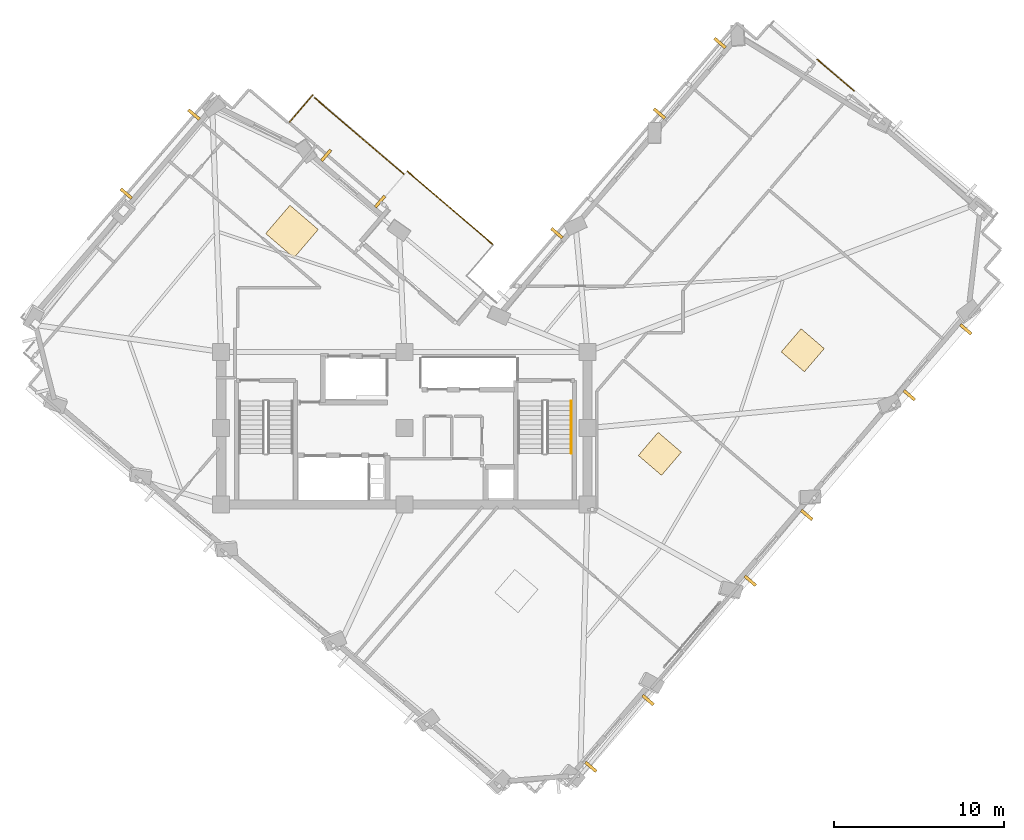
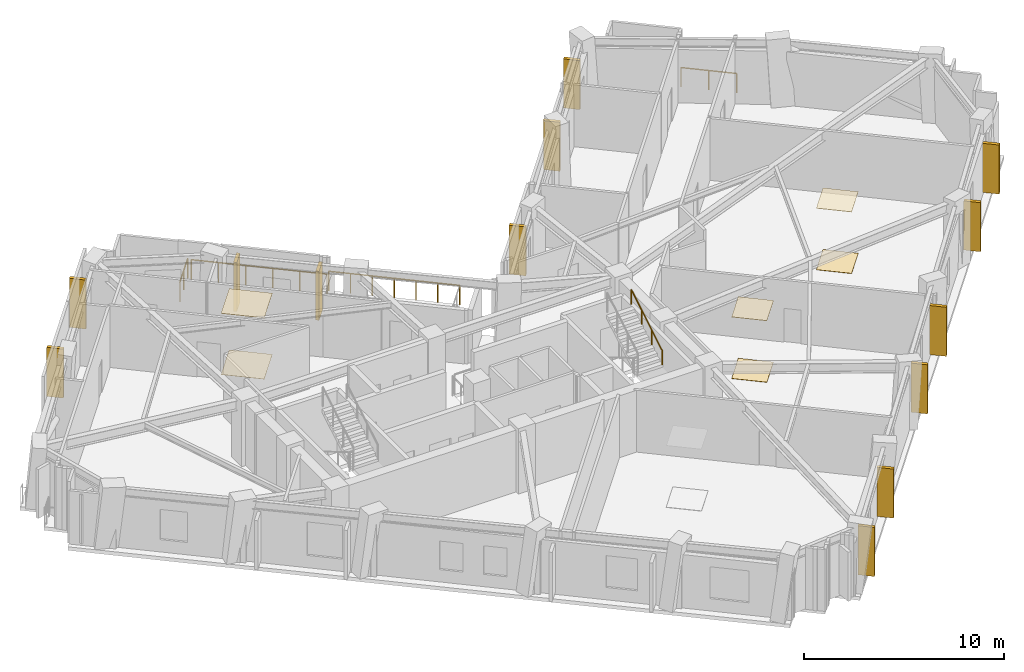
# One storey, part 11 of 12: 13 shading devices, 6 coverings, 5 railings.
"""IFC4 building model written with IfcOpenShell, lengths in metres."""

from ifc_helpers import new_model, si_unit, direction, frame, origin, origin_2d, place, context, subcontext, project, spatial, rectangle, circle, extrude, material, layer, layer_set, type_object, element, save


model = new_model("IFC4")

# Units and contexts
model_context = context("Model", 3, precision=1e-05, world=origin(), true_north=direction((0.0, 1.0)))
body_context = subcontext(model_context, "Body", "Model", "MODEL_VIEW")
ifc_project = project(units=[si_unit("LENGTHUNIT", "METRE"), si_unit("AREAUNIT", "SQUARE_METRE"), si_unit("VOLUMEUNIT", "CUBIC_METRE"), si_unit("PLANEANGLEUNIT", "RADIAN"), si_unit("MASSUNIT", "GRAM", prefix="KILO")], contexts=[model_context])

# Site, building, storey
site_placement = place(None, origin())
site = spatial("IfcSite", under=ifc_project, at=site_placement, CompositionType="ELEMENT")
building_placement = place(site_placement, origin())
building = spatial("IfcBuilding", under=site, at=building_placement, Name="Gaonmaruhae Medical Tower", CompositionType="ELEMENT")
storey_placement = place(building_placement, frame((0.0, 0.0, 235.199951171875)))
storey = spatial("IfcBuildingStorey", under=building, at=storey_placement, Name="L56", CompositionType="ELEMENT", Elevation=235.199951171875)

# Coverings
ifc_material_1 = material(Name="Acoustic mineral ceiling tile", Category="finish")
ifc_layer_1 = layer(ifc_material_1, 0.02490234375)
ifc_layer_set_1 = layer_set([ifc_layer_1], Name="Acoustic mineral ceiling tile")
covering_type_1 = type_object("IfcCoveringType", Name="CLG-01 Antimicrobial Acoustic Mineral Ceiling", PredefinedType="CEILING", material=ifc_layer_set_1)
covering_1_placement = place(storey_placement, frame((18.17724609375, 23.8935546875, 3.735107421875), z_axis=(0.0, 0.0, 1.0), x_axis=(0.650774217266, 0.759271307335, 0.0)))
element("IfcCovering", 1, at=covering_1_placement, inside=storey, type_object=covering_type_1, Name="L56 Clinical Corridor Acoustic Ceiling", PredefinedType="CEILING", context=body_context, shape_type="SweptSolid", body=[
    extrude(rectangle(XDim=2.199951171875, YDim=2.199951171875, at=origin_2d()), origin(), (0.0, 0.0, 1.0), 0.02490234375),
])
for number, where, z_axis, x_axis, name in (
    (2, (39.864990234375, 10.7880859375, 3.755126953125), (0.0, 0.0, 1.0), (0.650774217266, 0.759271307335, 0.0), "L56 Clinical Room Acoustic Ceiling 3"),
    (3, (48.288818359375, 16.89404296875, 3.755126953125), (0.0, 0.0, 1.0), (0.650774217266, 0.759271307335, 0.0), "L56 Clinical Room Acoustic Ceiling 4"),
):
    element("IfcCovering", number, at=place(storey_placement, frame(where, z_axis=z_axis, x_axis=x_axis)), inside=storey, type_object=covering_type_1, Name=name, PredefinedType="CEILING", context=body_context, shape_type="SweptSolid", body=[
        extrude(rectangle(XDim=1.800048828125, YDim=1.800048828125, at=origin_2d()), origin(), (0.0, 0.0, 1.0), 0.02490234375),
    ])
ifc_material_2 = material(Name="Seamless clinical vinyl flooring", Category="finish")
ifc_layer_2 = layer(ifc_material_2, 0.014892578125)
ifc_layer_set_2 = layer_set([ifc_layer_2], Name="Seamless clinical vinyl flooring")
covering_type_2 = type_object("IfcCoveringType", Name="FLR-01 Seamless Clinical Antistatic Vinyl Flooring", PredefinedType="FLOORING", material=ifc_layer_set_2)
covering_2_placement = place(storey_placement, frame((18.17724609375, 23.8935546875, 0.00048828125), z_axis=(0.0, 0.0, 1.0), x_axis=(0.650774217266, 0.759271307335, 0.0)))
element("IfcCovering", 4, at=covering_2_placement, inside=storey, type_object=covering_type_2, Name="L56 Clinical Corridor Vinyl Flooring", PredefinedType="FLOORING", context=body_context, shape_type="SweptSolid", body=[
    extrude(rectangle(XDim=2.199951171875, YDim=2.199951171875, at=origin_2d()), origin(), (0.0, 0.0, 1.0), 0.014892578125),
])
for number, where, z_axis, x_axis, name in (
    (5, (39.864990234375, 10.7880859375, 0.0), (0.0, 0.0, 1.0), (0.650774217266, 0.759271307335, 0.0), "L56 Clinical Room Vinyl Flooring 3"),
    (6, (48.288818359375, 16.89404296875, 0.0), (0.0, 0.0, 1.0), (0.650774217266, 0.759271307335, 0.0), "L56 Clinical Room Vinyl Flooring 4"),
):
    element("IfcCovering", number, at=place(storey_placement, frame(where, z_axis=z_axis, x_axis=x_axis)), inside=storey, type_object=covering_type_2, Name=name, PredefinedType="FLOORING", context=body_context, shape_type="SweptSolid", body=[
        extrude(rectangle(XDim=1.800048828125, YDim=1.800048828125, at=origin_2d()), origin(), (0.0, 0.0, 1.0), 0.014892578125),
    ])

# Railings
ifc_material_3 = material(Name="Stainless steel 316L and laminated safety glass", Category="steel")
ifc_layer_3 = layer(ifc_material_3, 0.080078125)
ifc_layer_set_3 = layer_set([ifc_layer_3], Name="Stainless steel 316L and laminated safety glass")
railing_type_1 = type_object("IfcRailingType", Name="GD-120 Outdoor Terrace Safety Glass & Steel Balustrade", PredefinedType="BALUSTRADE", material=ifc_layer_set_3)
railing_1_placement = place(storey_placement, frame((30.04248046875, 23.10791015625, 0.0)))
element("IfcRailing", 7, at=railing_1_placement, inside=storey, type_object=railing_type_1, Name="L56 Terrace Safety Guard RL-SLB-L56-TER-03", PredefinedType="BALUSTRADE", context=body_context, shape_type="SweptSolid", body=[
    extrude(circle(Radius=0.02392578125, at=origin_2d()), frame((0.0, 0.0, 1.17578125), z_axis=(-0.759272095215, 0.650773298029, 0.0), x_axis=(-0.650773298029, -0.759272095215, 0.0)), (0.0, 0.0, 1.0), 6.674072265625),
    extrude(circle(Radius=0.02099609375, at=origin_2d()), origin(), (0.0, 0.0, 1.0), 1.15185546875),
    extrude(circle(Radius=0.02099609375, at=origin_2d()), frame((-0.844482421875, 0.723876953125, 0.0)), (0.0, 0.0, 1.0), 1.15185546875),
    extrude(circle(Radius=0.02099609375, at=origin_2d()), frame((-1.689208984375, 1.44775390625, 0.0)), (0.0, 0.0, 1.0), 1.15185546875),
    extrude(circle(Radius=0.02099609375, at=origin_2d()), frame((-2.53369140625, 2.171630859375, 0.0)), (0.0, 0.0, 1.0), 1.15185546875),
    extrude(circle(Radius=0.02099609375, at=origin_2d()), frame((-3.378173828125, 2.8955078125, 0.0)), (0.0, 0.0, 1.0), 1.15185546875),
    extrude(circle(Radius=0.02099609375, at=origin_2d()), frame((-4.222900390625, 3.619384765625, 0.0)), (0.0, 0.0, 1.0), 1.15185546875),
    extrude(circle(Radius=0.02099609375, at=origin_2d()), frame((-5.0673828125, 4.34326171875, 0.0)), (0.0, 0.0, 1.0), 1.15185546875),
])
railing_2_placement = place(storey_placement, frame((49.14501953125, 34.037353515625, 0.0)))
element("IfcRailing", 8, at=railing_2_placement, inside=storey, type_object=railing_type_1, Name="L56 Perimeter Slab Edge Safety Balustrade 02", PredefinedType="BALUSTRADE", context=body_context, shape_type="SweptSolid", body=[
    extrude(circle(Radius=0.02392578125, at=origin_2d()), frame((0.0, 0.0, 1.17578125), z_axis=(0.759293028785, -0.65074887356, 0.0), x_axis=(0.65074887356, 0.759293028785, 0.0)), (0.0, 0.0, 1.0), 2.838623046875),
    extrude(circle(Radius=0.02099609375, at=origin_2d()), origin(), (0.0, 0.0, 1.0), 1.15185546875),
    extrude(circle(Radius=0.02099609375, at=origin_2d()), frame((1.07763671875, -0.923583984375, 0.0)), (0.0, 0.0, 1.0), 1.15185546875),
    extrude(circle(Radius=0.02099609375, at=origin_2d()), frame((2.1552734375, -1.84716796875, 0.0)), (0.0, 0.0, 1.0), 1.15185546875),
])
railing_3_placement = place(storey_placement, frame((18.04248046875, 30.349609375, 0.0)))
element("IfcRailing", 9, at=railing_3_placement, inside=storey, type_object=railing_type_1, Name="L56 Perimeter Slab Edge Safety Balustrade 08", PredefinedType="BALUSTRADE", context=body_context, shape_type="SweptSolid", body=[
    extrude(circle(Radius=0.02392578125, at=origin_2d()), frame((0.0, 0.0, 1.17578125), z_axis=(0.650724060064, 0.759314294383, 0.0), x_axis=(-0.759314294383, 0.650724060064, 0.0)), (0.0, 0.0, 1.0), 2.0908203125),
    extrude(circle(Radius=0.02099609375, at=origin_2d()), origin(), (0.0, 0.0, 1.0), 1.15185546875),
    extrude(circle(Radius=0.02099609375, at=origin_2d()), frame((0.68017578125, 0.7939453125, 0.0)), (0.0, 0.0, 1.0), 1.15185546875),
    extrude(circle(Radius=0.02099609375, at=origin_2d()), frame((1.360595703125, 1.587646484375, 0.0)), (0.0, 0.0, 1.0), 1.15185546875),
])
railing_4_placement = place(storey_placement, frame((19.523193359375, 31.768310546875, 0.0)))
element("IfcRailing", 10, at=railing_4_placement, inside=storey, type_object=railing_type_1, Name="L56 Perimeter Slab Edge Safety Balustrade 09", PredefinedType="BALUSTRADE", context=body_context, shape_type="SweptSolid", body=[
    extrude(circle(Radius=0.02392578125, at=origin_2d()), frame((0.0, 0.0, 1.17578125), z_axis=(0.759281545422, -0.650762272094, 0.0), x_axis=(0.650762272094, 0.759281545422, 0.0)), (0.0, 0.0, 1.0), 6.908935546875),
    extrude(circle(Radius=0.02099609375, at=origin_2d()), origin(), (0.0, 0.0, 1.0), 1.15185546875),
    extrude(circle(Radius=0.02099609375, at=origin_2d()), frame((1.049072265625, -0.899169921875, 0.0)), (0.0, 0.0, 1.0), 1.15185546875),
    extrude(circle(Radius=0.02099609375, at=origin_2d()), frame((2.098388671875, -1.79833984375, 0.0)), (0.0, 0.0, 1.0), 1.15185546875),
    extrude(circle(Radius=0.02099609375, at=origin_2d()), frame((3.1474609375, -2.69775390625, 0.0)), (0.0, 0.0, 1.0), 1.15185546875),
    extrude(circle(Radius=0.02099609375, at=origin_2d()), frame((4.19677734375, -3.596923828125, 0.0)), (0.0, 0.0, 1.0), 1.15185546875),
    extrude(circle(Radius=0.02099609375, at=origin_2d()), frame((5.245849609375, -4.49609375, 0.0)), (0.0, 0.0, 1.0), 1.15185546875),
])
ifc_material_4 = material(Name="Stainless steel 304 handrail", Category="steel")
railing_type_2 = type_object("IfcRailingType", Name="HR-092 Continuous Stainless Steel Stair Handrail", PredefinedType="HANDRAIL", material=ifc_material_4)
railing_5_placement = place(storey_placement, frame((34.64990234375, 10.820068359375, 2.166748046875)))
element("IfcRailing", 11, at=railing_5_placement, inside=storey, type_object=railing_type_2, Name="L56 ST-02 stair handrail 2", PredefinedType="HANDRAIL", context=body_context, shape_type="SweptSolid", body=[
    extrude(circle(Radius=0.02392578125, at=origin_2d()), frame((0.0, 0.0, 0.8759765625), z_axis=(0.0, 0.859290745958, 0.51148745235), x_axis=(-1.0, 0.0, 0.0)), (0.0, 0.0, 1.0), 3.584228515625),
    extrude(circle(Radius=0.02099609375, at=origin_2d()), origin(), (0.0, 0.0, 1.0), 0.851806640625),
    extrude(circle(Radius=0.02099609375, at=origin_2d()), frame((0.0, 1.026611328125, 0.611083984375)), (0.0, 0.0, 1.0), 0.851806640625),
    extrude(circle(Radius=0.02099609375, at=origin_2d()), frame((0.0, 2.05322265625, 1.22216796875)), (0.0, 0.0, 1.0), 0.851806640625),
    extrude(circle(Radius=0.02099609375, at=origin_2d()), frame((0.0, 3.079833984375, 1.833251953125)), (0.0, 0.0, 1.0), 0.851806640625),
])

# Shading devices
ifc_material_5 = material(Name="Pigmented coral precast concrete C45/55", Category="concrete")
shading_device_type = type_object("IfcShadingDeviceType", Name="SD-FIN1 Tower Vertical Coral Precast Shading Fin", PredefinedType="USERDEFINED", material=ifc_material_5)
for number, where, z_axis, x_axis, name in (
    (12, (39.170166015625, -3.728759765625, 0.132568359375), (0.0, 0.0, 1.0), (-0.650774217266, -0.759271307335, 0.0), "L56 Vertical Coral Precast Shading Fin S01"),
    (13, (35.796142578125, -7.665283203125, 0.132568359375), (0.0, 0.0, 1.0), (-0.650774217266, -0.759271307335, 0.0), "L56 Vertical Coral Precast Shading Fin S01B"),
    (14, (48.5244140625, 7.184814453125, 0.132568359375), (0.0, 0.0, 1.0), (-0.650774217266, -0.759271307335, 0.0), "L56 Vertical Coral Precast Shading Fin S03"),
    (15, (45.196533203125, 3.302490234375, 0.132568359375), (0.0, 0.0, 1.0), (-0.650774217266, -0.759271307335, 0.0), "L56 Vertical Coral Precast Shading Fin S03B"),
    (16, (57.90234375, 18.12646484375, 0.132568359375), (0.0, 0.0, 1.0), (-0.650774217266, -0.759271307335, 0.0), "L56 Vertical Coral Precast Shading Fin S05"),
    (17, (54.5712890625, 14.240234375, 0.132568359375), (0.0, 0.0, 1.0), (-0.650774217266, -0.759271307335, 0.0), "L56 Vertical Coral Precast Shading Fin S05B"),
    (18, (39.842529296875, 30.84619140625, 0.132568359375), (0.0, 0.0, 1.0), (0.650760965383, 0.759282665372, 0.0), "L56 Vertical Coral Precast Shading Fin E03"),
    (19, (43.40869140625, 35.0068359375, 0.132568359375), (0.0, 0.0, 1.0), (0.650760965383, 0.759282665372, 0.0), "L56 Vertical Coral Precast Shading Fin E03B"),
    (20, (33.797119140625, 23.79296875, 0.132568359375), (0.0, 0.0, 1.0), (0.650774217266, 0.759271307335, 0.0), "L56 Vertical Coral Precast Shading Fin EN02B"),
    (21, (20.19091796875, 28.384033203125, 0.12255859375), (0.0, 0.0, 1.0), (0.759271307335, -0.650774217266, 0.0), "L56 Vertical Coral Precast Shading Fin NE01"),
    (22, (23.371826171875, 25.65771484375, 0.12255859375), (0.0, 0.0, 1.0), (0.759271307335, -0.650774217266, 0.0), "L56 Vertical Coral Precast Shading Fin NE01B"),
    (23, (8.4052734375, 26.129638671875, 0.132568359375), (0.0, 0.0, 1.0), (0.650774217266, 0.759271307335, 0.0), "L56 Vertical Coral Precast Shading Fin N01"),
    (24, (12.397216796875, 30.787109375, 0.132568359375), (0.0, 0.0, 1.0), (0.650774217266, 0.759271307335, 0.0), "L56 Vertical Coral Precast Shading Fin N01B"),
):
    element("IfcShadingDevice", number, at=place(storey_placement, frame(where, z_axis=z_axis, x_axis=x_axis)), inside=storey, type_object=shading_device_type, Name=name, ObjectType="FIN", PredefinedType="USERDEFINED", context=body_context, shape_type="SweptSolid", body=[
        extrude(rectangle(XDim=0.179931640625, YDim=0.85009765625, at=origin_2d()), origin(), (0.0, 0.0, 1.0), 3.0),
    ])

save(model, "model.ifc")
